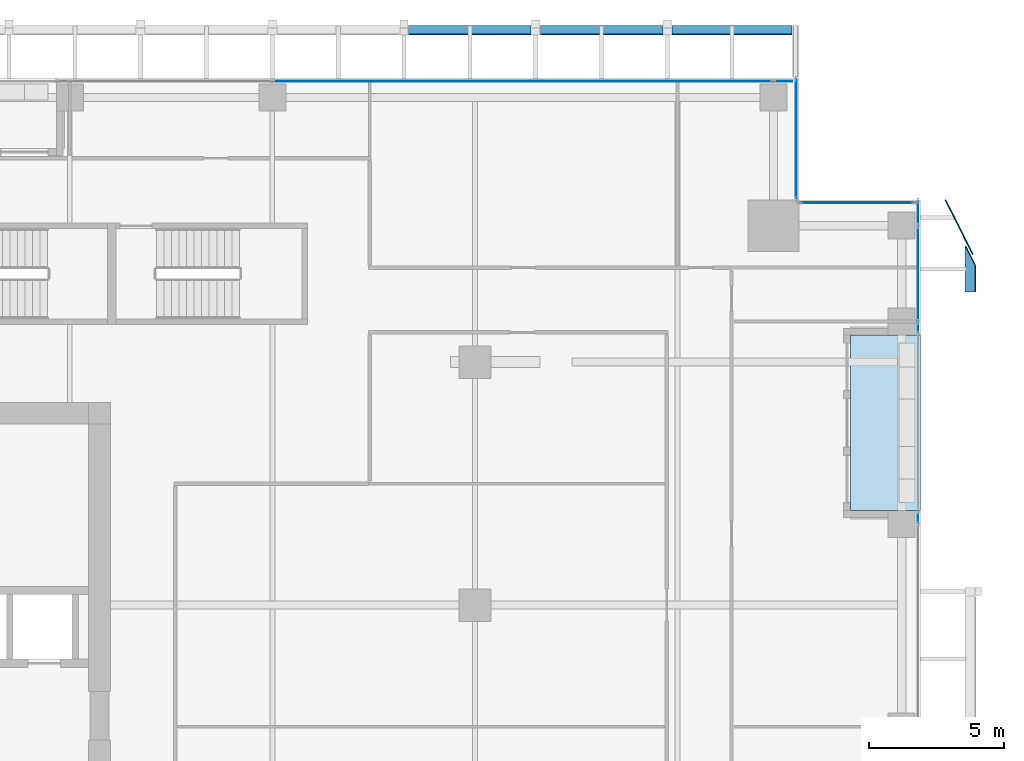
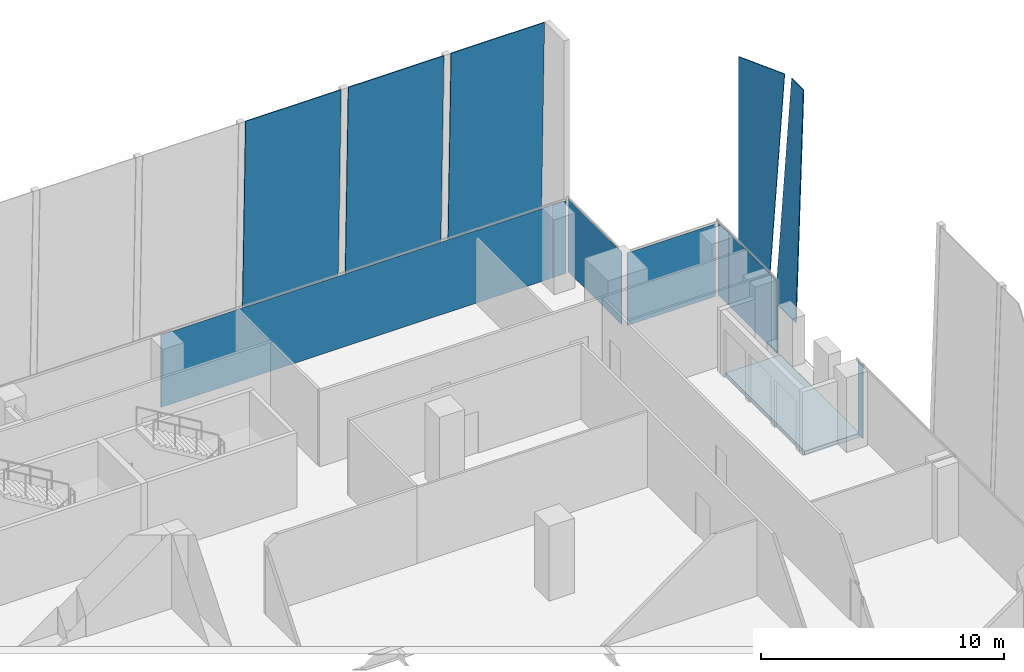
# One storey, part 27 of 35: 13 plates, 1 slab, 5 elements without a shape of their own.
"""IFC4 building model written with IfcOpenShell, lengths in metres."""

from ifc_helpers import new_model, si_unit, direction, frame, origin, origin_2d, place, context, subcontext, project, spatial, polyline, rectangle, outline, extrude, source, transform, mapped, material, layer, layer_set, type_object, element, aggregate, save


model = new_model("IFC4")

# Units and contexts
model_context = context("Model", 3, precision=1e-05, world=origin(), true_north=direction((0.0, 1.0)))
body_context = subcontext(model_context, "Body", "Model", "MODEL_VIEW")
ifc_project = project(units=[si_unit("LENGTHUNIT", "METRE"), si_unit("AREAUNIT", "SQUARE_METRE"), si_unit("VOLUMEUNIT", "CUBIC_METRE"), si_unit("PLANEANGLEUNIT", "RADIAN"), si_unit("MASSUNIT", "GRAM", prefix="KILO")], contexts=[model_context])

# Site, building, storey
site_placement = place(None, origin())
site = spatial("IfcSite", under=ifc_project, at=site_placement, CompositionType="ELEMENT")
building_placement = place(site_placement, origin())
building = spatial("IfcBuilding", under=site, at=building_placement, Name="Khomas Fold Tower", CompositionType="ELEMENT")
storey_placement = place(building_placement, frame((0.0, 0.0, 188.699951171875)))
storey = spatial("IfcBuildingStorey", under=building, at=storey_placement, Name="L41", CompositionType="ELEMENT", Elevation=188.699951171875)

# Plates
ifc_material_1 = material(Name="Clear laminated glass", Category="glass")
ifc_layer_1 = layer(ifc_material_1, 0.0400390625)
ifc_layer_set_1 = layer_set([ifc_layer_1], Name="Clear laminated glass")
plate_type_1 = type_object("IfcPlateType", Name="SK-Clear laminated glass leaf", PredefinedType="SHEET", material=ifc_layer_set_1)
plate_1_placement = place(storey_placement, frame((53.012939453125, 43.10009765625, 11.550048828125), z_axis=(-0.999510363794, 0.0, 0.031289497744), x_axis=(0.0, 1.0, 0.0)))
element("IfcPlate", 1, at=plate_1_placement, inside=storey, type_object=plate_type_1, Name="OUTER SKIN glass L41 EG106-9", PredefinedType="SHEET", context=body_context, shape_type="SweptSolid", body=[
    extrude(outline(polyline([(0.0, 0.0), (0.973876953125, 0.0), (1.697021484375, 11.555706920623287), (0.0, 11.555706920623287), (0.0, 0.0)])), origin(), (0.0, 0.0, -1.0), 0.0400390625),
])
plate_2_placement = place(storey_placement, frame((52.551025390625, 45.19775390625, 0.0), z_axis=(-0.894427191, -0.4472135955, 0.0), x_axis=(0.031228410225, -0.06245682045, 0.997558986714)))
element("IfcPlate", 2, at=plate_2_placement, inside=storey, type_object=plate_type_1, Name="OUTER SKIN glass L41 EG106-10", PredefinedType="SHEET", context=body_context, shape_type="SweptSolid", body=[
    extrude(outline(polyline([(0.0, 0.0), (11.578311640667549, 0.0), (11.420187317410289, 2.2589279931400634), (-0.10166768807307436, 1.4524013880676347), (0.0, 0.0)])), origin(), (0.0, 0.0, -1.0), 0.0400390625),
])
for number, where, z_axis, x_axis, name in (
    (3, (32.044921875, 52.95654296875, 0.0009765625), (0.0, 0.999657230839, 0.026180543005), (1.0, 0.0, 0.0), "OUTER SKIN glass L41 N11"),
    (4, (36.919921875, 52.95654296875, 0.0009765625), (0.0, 0.999657230839, 0.026180543005), (1.0, 0.0, 0.0), "OUTER SKIN glass L41 N13"),
):
    element("IfcPlate", number, at=place(storey_placement, frame(where, z_axis=z_axis, x_axis=x_axis)), inside=storey, type_object=plate_type_1, Name=name, PredefinedType="SHEET", context=body_context, shape_type="SweptSolid", body=[
        extrude(outline(polyline([(0.0, 0.0), (4.53515625, 0.0), (4.53515625, -11.554009186164079), (0.0, -11.554009186164079), (0.0, 0.0)])), origin(), (0.0, 0.0, -1.0), 0.0400390625),
    ])
plate_3_placement = place(storey_placement, frame((41.794921875, 52.95654296875, 0.0009765625), z_axis=(0.0, 0.999657230839, 0.026180543005), x_axis=(1.0, 0.0, 0.0)))
element("IfcPlate", 5, at=plate_3_placement, inside=storey, type_object=plate_type_1, Name="OUTER SKIN glass L41 N15", PredefinedType="SHEET", context=body_context, shape_type="SweptSolid", body=[
    extrude(outline(polyline([(0.0, 0.0), (4.43505859375, 0.0), (4.43505859375, -11.554009186164079), (0.0, -11.554009186164079), (0.0, 0.0)])), origin(), (0.0, 0.0, -1.0), 0.0400390625),
])

# Curtain wall, plate
ifc_material_2 = material(Name="Aluminium framed double glazing", Category="aluminium")
curtain_wall_type = type_object("IfcCurtainWallType", Name="SK-Unitised clear-glass wall, office floors CW2", PredefinedType="NOTDEFINED", material=ifc_material_2)
curtain_wall_1_placement = place(storey_placement, origin())
curtain_wall_1 = element("IfcCurtainWall", 6, at=curtain_wall_1_placement, inside=storey, type_object=curtain_wall_type, Name="CW2 corner return L41 05", PredefinedType="NOTDEFINED")
ifc_material_3 = material(Name="Clear double glazed unit")
ifc_layer_2 = layer(ifc_material_3, 0.030029296875)
ifc_layer_set_2 = layer_set([ifc_layer_2], Name="Clear double glazed unit")
plate_type_2 = type_object("IfcPlateType", Name="SK-Unitised clear-glass wall, office floors glass panel CW2-P", PredefinedType="CURTAIN_PANEL", material=ifc_layer_set_2)
shared_shape_1 = source(origin(), body_context, "Body", "SweptSolid", [
    extrude(rectangle(XDim=4.3798828125, YDim=0.030029296875, at=origin_2d()), origin(), (0.0, 0.0, 1.0), 3.639892578125),
])
plate_4_placement = place(storey_placement, frame((46.39990234375, 48.75, 0.0), z_axis=(0.0, 0.0, 1.0), x_axis=(0.0, 1.0, 0.0)))
plate_4 = element("IfcPlate", 7, at=plate_4_placement, type_object=plate_type_2, Name="CW2 glass panel 1", PredefinedType="CURTAIN_PANEL", context=body_context, shape_type="MappedRepresentation", body=[
    mapped(shared_shape_1, transform((0.0, 0.0, 0.0))),
])
aggregate(curtain_wall_1, [plate_4])

curtain_wall_2_placement = place(storey_placement, origin())
curtain_wall_2 = element("IfcCurtainWall", 8, at=curtain_wall_2_placement, inside=storey, type_object=curtain_wall_type, Name="CW2 run L41 06-0", PredefinedType="NOTDEFINED")
shared_shape_2 = source(origin(), body_context, "Body", "SweptSolid", [
    extrude(rectangle(XDim=0.659912109375, YDim=0.030029296875, at=origin_2d()), origin(), (0.0, 0.0, 1.0), 3.639892578125),
])
plate_5_placement = place(storey_placement, frame((45.909912109375, 50.89990234375, 0.0), z_axis=(0.0, 0.0, 1.0), x_axis=(-1.0, 0.0, 0.0)))
plate_5 = element("IfcPlate", 9, at=plate_5_placement, type_object=plate_type_2, Name="CW2 glass panel 1", PredefinedType="CURTAIN_PANEL", context=body_context, shape_type="MappedRepresentation", body=[
    mapped(shared_shape_2, transform((0.0, 0.0, 0.0))),
])

curtain_wall_3_placement = place(storey_placement, origin())
curtain_wall_3 = element("IfcCurtainWall", 10, at=curtain_wall_3_placement, inside=storey, type_object=curtain_wall_type, Name="CW2 run L41 03-1", PredefinedType="NOTDEFINED")
shared_shape_3 = source(origin(), body_context, "Body", "SweptSolid", [
    extrude(rectangle(XDim=3.489990234375, YDim=0.030029296875, at=origin_2d()), origin(), (0.0, 0.0, 1.0), 3.639892578125),
])
plate_6_placement = place(storey_placement, frame((50.89990234375, 43.77490234375, 0.0), z_axis=(0.0, 0.0, 1.0), x_axis=(0.0, 1.0, 0.0)))
plate_6 = element("IfcPlate", 11, at=plate_6_placement, type_object=plate_type_2, Name="CW2 glass panel 2", PredefinedType="CURTAIN_PANEL", context=body_context, shape_type="MappedRepresentation", body=[
    mapped(shared_shape_3, transform((0.0, 0.0, 0.0))),
])

curtain_wall_4_placement = place(storey_placement, origin())
curtain_wall_4 = element("IfcCurtainWall", 12, at=curtain_wall_4_placement, inside=storey, type_object=curtain_wall_type, Name="CW2 corner return L41 04", PredefinedType="NOTDEFINED")
shared_shape_4 = source(origin(), body_context, "Body", "SweptSolid", [
    extrude(rectangle(XDim=4.179931640625, YDim=0.030029296875, at=origin_2d()), origin(), (0.0, 0.0, 1.0), 3.639892578125),
])
plate_7_placement = place(storey_placement, frame((48.64990234375, 46.39990234375, 0.0), z_axis=(0.0, 0.0, 1.0), x_axis=(-1.0, 0.0, 0.0)))
plate_7 = element("IfcPlate", 13, at=plate_7_placement, type_object=plate_type_2, Name="CW2 glass panel 1", PredefinedType="CURTAIN_PANEL", context=body_context, shape_type="MappedRepresentation", body=[
    mapped(shared_shape_4, transform((0.0, 0.0, 0.0))),
])
aggregate(curtain_wall_4, [plate_7])

curtain_wall_5_placement = place(storey_placement, origin())
curtain_wall_5 = element("IfcCurtainWall", 14, at=curtain_wall_5_placement, inside=storey, type_object=curtain_wall_type, Name="CW2 run L41 03-0", PredefinedType="NOTDEFINED")
shared_shape_5 = source(origin(), body_context, "Body", "SweptSolid", [
    extrude(rectangle(XDim=0.409912109375, YDim=0.030029296875, at=origin_2d()), origin(), (0.0, 0.0, 1.0), 3.639892578125),
])
plate_8_placement = place(storey_placement, frame((50.89990234375, 34.735107421875, 0.0), z_axis=(0.0, 0.0, 1.0), x_axis=(0.0, 1.0, 0.0)))
plate_8 = element("IfcPlate", 15, at=plate_8_placement, type_object=plate_type_2, Name="CW2 glass panel 6", PredefinedType="CURTAIN_PANEL", context=body_context, shape_type="MappedRepresentation", body=[
    mapped(shared_shape_5, transform((0.0, 0.0, 0.0))),
])
aggregate(curtain_wall_5, [plate_8])

# Plate
plate_9_placement = place(storey_placement, frame((50.89990234375, 41.764892578125, 0.0), z_axis=(0.0, 0.0, 1.0), x_axis=(0.0, 1.0, 0.0)))
plate_9 = element("IfcPlate", 16, at=plate_9_placement, type_object=plate_type_2, Name="CW2 glass panel 1", PredefinedType="CURTAIN_PANEL", context=body_context, shape_type="MappedRepresentation", body=[
    mapped(shared_shape_5, transform((0.0, 0.0, 0.0))),
])

shared_shape_6 = source(origin(), body_context, "Body", "SweptSolid", [
    extrude(rectangle(XDim=0.860107421875, YDim=0.030029296875, at=origin_2d()), origin(), (0.0, 0.0, 1.0), 3.639892578125),
])
plate_10_placement = place(storey_placement, frame((50.89990234375, 46.010009765625, 0.0), z_axis=(0.0, 0.0, 1.0), x_axis=(0.0, 1.0, 0.0)))
plate_10 = element("IfcPlate", 17, at=plate_10_placement, type_object=plate_type_2, Name="CW2 glass panel 3", PredefinedType="CURTAIN_PANEL", context=body_context, shape_type="MappedRepresentation", body=[
    mapped(shared_shape_6, transform((0.0, 0.0, 0.0))),
])

aggregate(curtain_wall_3, [plate_9, plate_6, plate_10])

shared_shape_7 = source(origin(), body_context, "Body", "SweptSolid", [
    extrude(rectangle(XDim=18.489990234375, YDim=0.030029296875, at=origin_2d()), origin(), (0.0, 0.0, 1.0), 3.639892578125),
])
plate_11_placement = place(storey_placement, frame((36.27490234375, 50.89990234375, 0.0), z_axis=(0.0, 0.0, 1.0), x_axis=(-1.0, 0.0, 0.0)))
plate_11 = element("IfcPlate", 18, at=plate_11_placement, type_object=plate_type_2, Name="CW2 glass panel 2", PredefinedType="CURTAIN_PANEL", context=body_context, shape_type="MappedRepresentation", body=[
    mapped(shared_shape_7, transform((0.0, 0.0, 0.0))),
])

aggregate(curtain_wall_2, [plate_5, plate_11])

# Slab
ifc_material_4 = material(Name="Concrete C40/50", Category="concrete")
ifc_layer_3 = layer(ifc_material_4, 0.205078125)
ifc_layer_set_3 = layer_set([ifc_layer_3], Name="Concrete C40/50")
slab_type = type_object("IfcSlabType", Name="BL-Balcony deck 205", PredefinedType="FLOOR", material=ifc_layer_set_3)
shared_shape_8 = source(origin(), body_context, "Body", "SweptSolid", [
    extrude(outline(polyline([(48.39990234375, 35.0), (51.0, 35.0), (51.0, 41.5), (48.39990234375, 41.5), (48.39990234375, 35.0)])), origin(), (0.0, 0.0, 1.0), 0.205078125),
])
slab_placement = place(storey_placement, frame((0.0, 0.0, -0.25)))
element("IfcSlab", 19, at=slab_placement, inside=storey, type_object=slab_type, Name="Balcony deck BAL-L41-E4", PredefinedType="FLOOR", context=body_context, shape_type="MappedRepresentation", body=[
    mapped(shared_shape_8, transform((0.0, 0.0, 0.0))),
])

save(model, "model.ifc")
